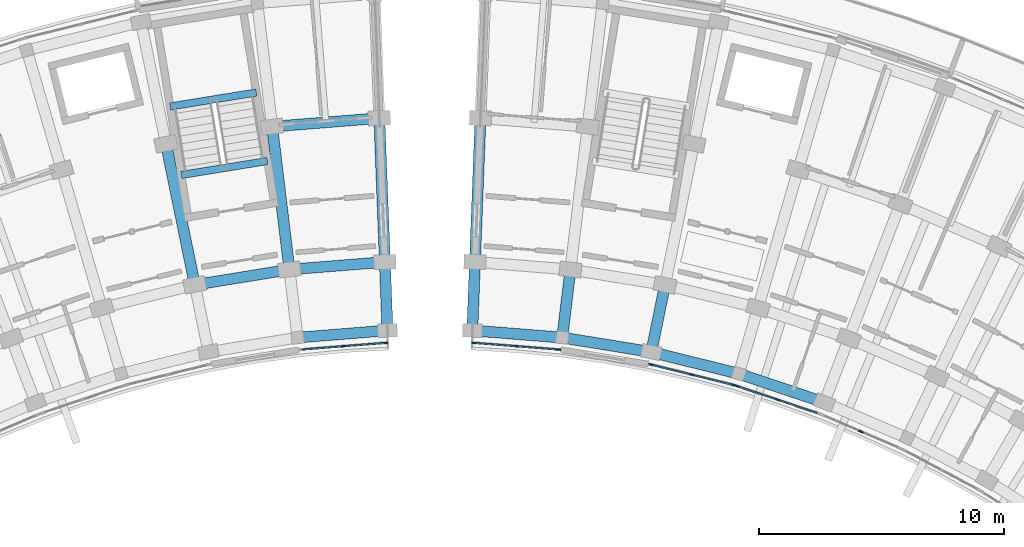
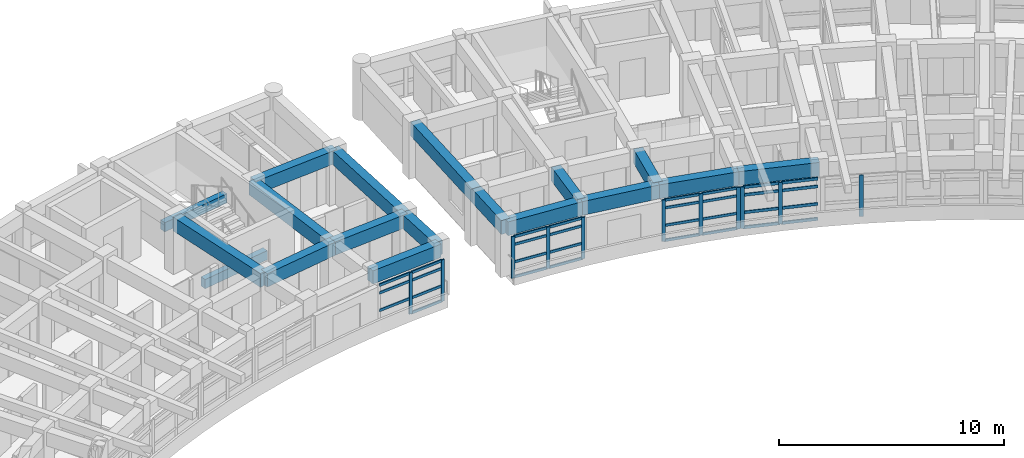
# One storey, part 17 of 70: 42 members, 18 beams, 5 elements without a shape of their own.
"""IFC4 building model written with IfcOpenShell, lengths in metres."""

from ifc_helpers import new_model, si_unit, direction, frame, origin, origin_2d, place, context, subcontext, project, spatial, rectangle, extrude, material, material_profile, profile_set, type_object, element, aggregate, save


model = new_model("IFC4")

# Units and contexts
model_context = context("Model", 3, precision=1e-05, world=origin(), true_north=direction((0.0, 1.0)))
body_context = subcontext(model_context, "Body", "Model", "MODEL_VIEW")
ifc_project = project(units=[si_unit("LENGTHUNIT", "METRE"), si_unit("AREAUNIT", "SQUARE_METRE"), si_unit("VOLUMEUNIT", "CUBIC_METRE"), si_unit("PLANEANGLEUNIT", "RADIAN"), si_unit("MASSUNIT", "GRAM", prefix="KILO")], contexts=[model_context])

# Site, building, storey
site_placement = place(None, origin())
site = spatial("IfcSite", under=ifc_project, at=site_placement, CompositionType="ELEMENT")
building_placement = place(site_placement, origin())
building = spatial("IfcBuilding", under=site, at=building_placement, Name="Zimvara Arc Housing Community", CompositionType="ELEMENT")
storey_placement = place(building_placement, frame((0.0, 0.0, 8.10009765625)))
storey = spatial("IfcBuildingStorey", under=building, at=storey_placement, Name="L02", CompositionType="ELEMENT", Elevation=8.10009765625)

# Beams
ifc_material_1 = material(Name="Concrete C40/50", Category="concrete")
ifc_material_profile_1 = material_profile(ifc_material_1, rectangle(XDim=0.300048828125, YDim=0.5, at=origin_2d()), Name="RC 300x500")
ifc_profile_set_1 = profile_set([ifc_material_profile_1], Name="Concrete C40/50")
beam_type_1 = type_object("IfcBeamType", Name="BM-RC-300x500", PredefinedType="BEAM", material=ifc_profile_set_1)
for number, where, z_axis, x_axis, name in (
    (1, (38.3662109375, 96.509033203125, -0.25), (-0.987080057935, -0.160227835371, 0.0), (0.160227835371, -0.987080057935, 0.0), "bm:stair_trim:ST-A2:L02:near"),
    (2, (37.911865234375, 99.307373046875, 1.2998046875), (-0.987080057935, -0.160227835371, 0.0), (0.160227835371, -0.987080057935, 0.0), "bm:stair_trim:ST-A2:L02:mid"),
):
    element("IfcBeam", number, at=place(storey_placement, frame(where, z_axis=z_axis, x_axis=x_axis)), inside=storey, type_object=beam_type_1, Name=name, PredefinedType="BEAM", context=body_context, shape_type="SweptSolid", body=[
        extrude(rectangle(XDim=0.300048828125, YDim=0.5, at=origin_2d()), origin(), (0.0, 0.0, 1.0), 3.570068359375),
    ])
ifc_material_2 = material(Name="Concrete C40/50", Category="concrete")
ifc_material_profile_2 = material_profile(ifc_material_2, rectangle(XDim=0.43994140625, YDim=0.719970703125, at=origin_2d()), Name="RC 440x720")
ifc_profile_set_2 = profile_set([ifc_material_profile_2], Name="Concrete C40/50")
beam_type_2 = type_object("IfcBeamType", Name="BM-RC-440x720", PredefinedType="BEAM", material=ifc_profile_set_2)
beam_1_placement = place(storey_placement, frame((39.594970703125, 89.295166015625, 2.52001953125), z_axis=(0.996865226667, 0.079118391428, 0.0), x_axis=(-0.079118391428, 0.996865226667, 0.0)))
element("IfcBeam", 3, at=beam_1_placement, inside=storey, type_object=beam_type_2, Name="bm:blkA:L02:chord:r0:b9", PredefinedType="BEAM", context=body_context, shape_type="SweptSolid", body=[
    extrude(rectangle(XDim=0.43994140625, YDim=0.719970703125, at=origin_2d()), origin(), (0.0, 0.0, 1.0), 3.684326171875),
])
beam_2_placement = place(storey_placement, frame((35.397216796875, 91.447998046875, 2.52001953125), z_axis=(0.987081487371, 0.160219029111, 0.0), x_axis=(-0.160219029111, 0.987081487371, 0.0)))
element("IfcBeam", 4, at=beam_2_placement, inside=storey, type_object=beam_type_2, Name="bm:blkA:L02:chord:r1:b8", PredefinedType="BEAM", context=body_context, shape_type="SweptSolid", body=[
    extrude(rectangle(XDim=0.43994140625, YDim=0.719970703125, at=origin_2d()), origin(), (0.0, 0.0, 1.0), 3.9130859375),
])
beam_3_placement = place(storey_placement, frame((39.259765625, 92.074951171875, 2.52001953125), z_axis=(0.99686054795, 0.079177319606, 0.0), x_axis=(-0.079177319606, 0.99686054795, 0.0)))
element("IfcBeam", 5, at=beam_3_placement, inside=storey, type_object=beam_type_2, Name="bm:blkA:L02:chord:r1:b9", PredefinedType="BEAM", context=body_context, shape_type="SweptSolid", body=[
    extrude(rectangle(XDim=0.43994140625, YDim=0.719970703125, at=origin_2d()), origin(), (0.0, 0.0, 1.0), 3.912841796875),
])
beam_4_placement = place(storey_placement, frame((38.55517578125, 97.91259765625, 2.52001953125), z_axis=(0.996864209836, 0.079131202119, 0.0), x_axis=(-0.079131202119, 0.996864209836, 0.0)))
element("IfcBeam", 6, at=beam_4_placement, inside=storey, type_object=beam_type_2, Name="bm:blkA:L02:chord:r2:b9", PredefinedType="BEAM", context=body_context, shape_type="SweptSolid", body=[
    extrude(rectangle(XDim=0.43994140625, YDim=0.719970703125, at=origin_2d()), origin(), (0.0, 0.0, 1.0), 4.393310546875),
])
ifc_material_3 = material(Name="Concrete C40/50", Category="concrete")
ifc_material_profile_3 = material_profile(ifc_material_3, rectangle(XDim=0.449951171875, YDim=0.75, at=origin_2d()), Name="RC 450x750")
ifc_profile_set_3 = profile_set([ifc_material_profile_3], Name="Concrete C40/50")
beam_type_3 = type_object("IfcBeamType", Name="BM-RC-450x750", PredefinedType="BEAM", material=ifc_profile_set_3)
for number, where, z_axis, x_axis, name in (
    (7, (35.397216796875, 91.447998046875, 2.5048828125), (-0.200417973989, 0.979710485655, 0.0), (-0.979710485655, -0.200417973989, 0.0), "bm:blkA:L02:rad:b8:r12"),
    (8, (39.259765625, 92.074951171875, 2.5048828125), (-0.119827921695, 0.992794676246, 0.0), (-0.992794676246, -0.119827921695, 0.0), "bm:blkA:L02:rad:b9:r12"),
):
    element("IfcBeam", number, at=place(storey_placement, frame(where, z_axis=z_axis, x_axis=x_axis)), inside=storey, type_object=beam_type_3, Name=name, PredefinedType="BEAM", context=body_context, shape_type="SweptSolid", body=[
        extrude(rectangle(XDim=0.449951171875, YDim=0.75, at=origin_2d()), origin(), (0.0, 0.0, 1.0), 5.880126953125),
    ])
beam_5_placement = place(storey_placement, frame((43.267822265625, 89.586669921875, 2.5048828125), z_axis=(-0.038362804793, 0.999263876665, 0.0), x_axis=(-0.999263876665, -0.038362804793, 0.0)))
element("IfcBeam", 9, at=beam_5_placement, inside=storey, type_object=beam_type_3, Name="bm:blkA:L02:rad:b10:r01", PredefinedType="BEAM", context=body_context, shape_type="SweptSolid", body=[
    extrude(rectangle(XDim=0.449951171875, YDim=0.75, at=origin_2d()), origin(), (0.0, 0.0, 1.0), 2.800048828125),
])
beam_6_placement = place(storey_placement, frame((43.160400390625, 92.384765625, 2.5048828125), z_axis=(-0.038366147405, 0.999263748333, 0.0), x_axis=(-0.999263748333, -0.038366147405, 0.0)))
element("IfcBeam", 10, at=beam_6_placement, inside=storey, type_object=beam_type_3, Name="bm:blkA:L02:rad:b10:r12", PredefinedType="BEAM", context=body_context, shape_type="SweptSolid", body=[
    extrude(rectangle(XDim=0.449951171875, YDim=0.75, at=origin_2d()), origin(), (0.0, 0.0, 1.0), 5.8798828125),
])
for number, where, z_axis, x_axis, name in (
    (11, (46.732177734375, 89.586669921875, 2.5048828125), (0.996865226667, -0.079118391428, 0.0), (0.079118391428, 0.996865226667, 0.0), "bm:blkB:L02:chord:r0:b0"),
    (12, (50.405029296875, 89.295166015625, 2.5048828125), (0.987079996944, -0.160228211104, 0.0), (0.160228211104, 0.987079996944, 0.0), "bm:blkB:L02:chord:r0:b1"),
):
    element("IfcBeam", number, at=place(storey_placement, frame(where, z_axis=z_axis, x_axis=x_axis)), inside=storey, type_object=beam_type_3, Name=name, PredefinedType="BEAM", context=body_context, shape_type="SweptSolid", body=[
        extrude(rectangle(XDim=0.449951171875, YDim=0.75, at=origin_2d()), origin(), (0.0, 0.0, 1.0), 3.684326171875),
    ])
beam_7_placement = place(storey_placement, frame((54.041748046875, 88.704833984375, 2.5048828125), z_axis=(0.970708886215, -0.240258731837, 0.0), x_axis=(0.240258731837, 0.970708886215, 0.0)))
element("IfcBeam", 13, at=beam_7_placement, inside=storey, type_object=beam_type_3, Name="bm:blkB:L02:chord:r0:b2", PredefinedType="BEAM", context=body_context, shape_type="SweptSolid", body=[
    extrude(rectangle(XDim=0.449951171875, YDim=0.75, at=origin_2d()), origin(), (0.0, 0.0, 1.0), 3.6845703125),
])
beam_8_placement = place(storey_placement, frame((57.618408203125, 87.819580078125, 2.5048828125), z_axis=(0.94789181932, -0.31859237101, 0.0), x_axis=(0.31859237101, 0.94789181932, 0.0)))
element("IfcBeam", 14, at=beam_8_placement, inside=storey, type_object=beam_type_3, Name="bm:blkB:L02:chord:r0:b3", PredefinedType="BEAM", context=body_context, shape_type="SweptSolid", body=[
    extrude(rectangle(XDim=0.449951171875, YDim=0.75, at=origin_2d()), origin(), (0.0, 0.0, 1.0), 3.684326171875),
])
beam_9_placement = place(storey_placement, frame((46.732177734375, 89.586669921875, 2.5048828125), z_axis=(0.038362804793, 0.999263876665, 0.0), x_axis=(-0.999263876665, 0.038362804793, 0.0)))
element("IfcBeam", 15, at=beam_9_placement, inside=storey, type_object=beam_type_3, Name="bm:blkB:L02:rad:b0:r01", PredefinedType="BEAM", context=body_context, shape_type="SweptSolid", body=[
    extrude(rectangle(XDim=0.449951171875, YDim=0.75, at=origin_2d()), origin(), (0.0, 0.0, 1.0), 2.800048828125),
])
beam_10_placement = place(storey_placement, frame((46.839599609375, 92.384765625, 2.5048828125), z_axis=(0.038366147405, 0.999263748333, 0.0), x_axis=(-0.999263748333, 0.038366147405, 0.0)))
element("IfcBeam", 16, at=beam_10_placement, inside=storey, type_object=beam_type_3, Name="bm:blkB:L02:rad:b0:r12", PredefinedType="BEAM", context=body_context, shape_type="SweptSolid", body=[
    extrude(rectangle(XDim=0.449951171875, YDim=0.75, at=origin_2d()), origin(), (0.0, 0.0, 1.0), 5.8798828125),
])
beam_11_placement = place(storey_placement, frame((50.405029296875, 89.295166015625, 2.5048828125), z_axis=(0.119719398078, 0.992807768767, 0.0), x_axis=(-0.992807768767, 0.119719398078, 0.0)))
element("IfcBeam", 17, at=beam_11_placement, inside=storey, type_object=beam_type_3, Name="bm:blkB:L02:rad:b1:r01", PredefinedType="BEAM", context=body_context, shape_type="SweptSolid", body=[
    extrude(rectangle(XDim=0.449951171875, YDim=0.75, at=origin_2d()), origin(), (0.0, 0.0, 1.0), 2.7998046875),
])
beam_12_placement = place(storey_placement, frame((54.041748046875, 88.704833984375, 2.5048828125), z_axis=(0.20037341071, 0.979719600845, 0.0), x_axis=(-0.979719600845, 0.20037341071, 0.0)))
element("IfcBeam", 18, at=beam_12_placement, inside=storey, type_object=beam_type_3, Name="bm:blkB:L02:rad:b2:r01", PredefinedType="BEAM", context=body_context, shape_type="SweptSolid", body=[
    extrude(rectangle(XDim=0.449951171875, YDim=0.75, at=origin_2d()), origin(), (0.0, 0.0, 1.0), 2.800048828125),
])

# Curtain wall, members
ifc_material_4 = material(Name="Anodised Aluminium AW-6063", Category="aluminium")
curtain_wall_type_1 = type_object("IfcCurtainWallType", Name="CW-SYS-06", PredefinedType="USERDEFINED", material=ifc_material_4)
curtain_wall_1_placement = place(storey_placement, origin())
curtain_wall_1 = element("IfcCurtainWall", 19, at=curtain_wall_1_placement, inside=storey, type_object=curtain_wall_type_1, Name="cw:blkA:L02:in:b9", ObjectType="CURTAIN WALL", PredefinedType="USERDEFINED")
ifc_material_5 = material(Name="Anodised Aluminium AW-6063", Category="aluminium")
ifc_material_profile_4 = material_profile(ifc_material_5, rectangle(XDim=0.06494140625, YDim=0.179931640625, at=origin_2d()), Name="ALU 65x180")
ifc_profile_set_4 = profile_set([ifc_material_profile_4], Name="Anodised Aluminium AW-6063")
member_type_1 = type_object("IfcMemberType", Name="CWM-65x150", PredefinedType="MULLION", material=ifc_profile_set_4)
member_1_placement = place(storey_placement, frame((41.470947265625, 88.94287109375, 0.0), z_axis=(0.0, 0.0, 1.0), x_axis=(-0.079154709897, 0.996862343506, 0.0)))
member_1 = element("IfcMember", 20, at=member_1_placement, type_object=member_type_1, Name="CW06 mullion 2", PredefinedType="MULLION", context=body_context, shape_type="SweptSolid", body=[
    extrude(rectangle(XDim=0.06494140625, YDim=0.179931640625, at=origin_2d()), origin(), (0.0, 0.0, 1.0), 2.25),
])
member_2_placement = place(storey_placement, frame((43.19482421875, 89.079833984375, 0.0), z_axis=(0.0, 0.0, 1.0), x_axis=(-0.079154709897, 0.996862343506, 0.0)))
member_2 = element("IfcMember", 21, at=member_2_placement, type_object=member_type_1, Name="CW06 mullion 3", PredefinedType="MULLION", context=body_context, shape_type="SweptSolid", body=[
    extrude(rectangle(XDim=0.06494140625, YDim=0.179931640625, at=origin_2d()), origin(), (0.0, 0.0, 1.0), 2.25),
])

ifc_material_6 = material(Name="Anodised Aluminium AW-6063", Category="aluminium")
curtain_wall_type_2 = type_object("IfcCurtainWallType", Name="CW-SYS-02", PredefinedType="USERDEFINED", material=ifc_material_6)
curtain_wall_2_placement = place(storey_placement, origin())
curtain_wall_2 = element("IfcCurtainWall", 22, at=curtain_wall_2_placement, inside=storey, type_object=curtain_wall_type_2, Name="cw:blkB:L02:in:b0", ObjectType="CURTAIN WALL", PredefinedType="USERDEFINED")
member_3_placement = place(storey_placement, frame((46.80517578125, 89.079833984375, 0.0), z_axis=(0.0, 0.0, 1.0), x_axis=(0.079154709897, 0.996862343506, 0.0)))
member_3 = element("IfcMember", 23, at=member_3_placement, type_object=member_type_1, Name="CW02 mullion 1", PredefinedType="MULLION", context=body_context, shape_type="SweptSolid", body=[
    extrude(rectangle(XDim=0.06494140625, YDim=0.179931640625, at=origin_2d()), origin(), (0.0, 0.0, 1.0), 2.25),
])
member_4_placement = place(storey_placement, frame((48.529052734375, 88.94287109375, 0.0), z_axis=(0.0, 0.0, 1.0), x_axis=(0.079154709897, 0.996862343506, 0.0)))
member_4 = element("IfcMember", 24, at=member_4_placement, type_object=member_type_1, Name="CW02 mullion 2", PredefinedType="MULLION", context=body_context, shape_type="SweptSolid", body=[
    extrude(rectangle(XDim=0.06494140625, YDim=0.179931640625, at=origin_2d()), origin(), (0.0, 0.0, 1.0), 2.25),
])
member_5_placement = place(storey_placement, frame((50.2529296875, 88.805908203125, 0.0), z_axis=(0.0, 0.0, 1.0), x_axis=(0.079154709897, 0.996862343506, 0.0)))
member_5 = element("IfcMember", 25, at=member_5_placement, type_object=member_type_1, Name="CW02 mullion 3", PredefinedType="MULLION", context=body_context, shape_type="SweptSolid", body=[
    extrude(rectangle(XDim=0.06494140625, YDim=0.179931640625, at=origin_2d()), origin(), (0.0, 0.0, 1.0), 2.25),
])

ifc_material_7 = material(Name="Anodised Aluminium AW-6063", Category="aluminium")
curtain_wall_type_3 = type_object("IfcCurtainWallType", Name="CW-SYS-04", PredefinedType="USERDEFINED", material=ifc_material_7)
curtain_wall_3_placement = place(storey_placement, origin())
curtain_wall_3 = element("IfcCurtainWall", 26, at=curtain_wall_3_placement, inside=storey, type_object=curtain_wall_type_3, Name="cw:blkB:L02:in:b2", ObjectType="CURTAIN WALL", PredefinedType="USERDEFINED")
member_6_placement = place(storey_placement, frame((54.03125, 88.192626953125, 0.0), z_axis=(0.0, 0.0, 1.0), x_axis=(0.240227815706, 0.970716537698, 0.0)))
member_6 = element("IfcMember", 27, at=member_6_placement, type_object=member_type_1, Name="CW04 mullion 1", PredefinedType="MULLION", context=body_context, shape_type="SweptSolid", body=[
    extrude(rectangle(XDim=0.06494140625, YDim=0.179931640625, at=origin_2d()), origin(), (0.0, 0.0, 1.0), 2.25),
])
member_7_placement = place(storey_placement, frame((55.7099609375, 87.77734375, 0.0), z_axis=(0.0, 0.0, 1.0), x_axis=(0.240227815706, 0.970716537698, 0.0)))
member_7 = element("IfcMember", 28, at=member_7_placement, type_object=member_type_1, Name="CW04 mullion 2", PredefinedType="MULLION", context=body_context, shape_type="SweptSolid", body=[
    extrude(rectangle(XDim=0.06494140625, YDim=0.179931640625, at=origin_2d()), origin(), (0.0, 0.0, 1.0), 2.25),
])
member_8_placement = place(storey_placement, frame((57.388671875, 87.36181640625, 0.0), z_axis=(0.0, 0.0, 1.0), x_axis=(0.240227815706, 0.970716537698, 0.0)))
member_8 = element("IfcMember", 29, at=member_8_placement, type_object=member_type_1, Name="CW04 mullion 3", PredefinedType="MULLION", context=body_context, shape_type="SweptSolid", body=[
    extrude(rectangle(XDim=0.06494140625, YDim=0.179931640625, at=origin_2d()), origin(), (0.0, 0.0, 1.0), 2.25),
])

ifc_material_8 = material(Name="Anodised Aluminium AW-6063", Category="aluminium")
curtain_wall_type_4 = type_object("IfcCurtainWallType", Name="CW-SYS-05", PredefinedType="USERDEFINED", material=ifc_material_8)
curtain_wall_4_placement = place(storey_placement, origin())
curtain_wall_4 = element("IfcCurtainWall", 30, at=curtain_wall_4_placement, inside=storey, type_object=curtain_wall_type_4, Name="cw:blkB:L02:in:b3", ObjectType="CURTAIN WALL", PredefinedType="USERDEFINED")
ifc_material_9 = material(Name="Anodised Aluminium AW-6063", Category="aluminium")
ifc_material_profile_5 = material_profile(ifc_material_9, rectangle(XDim=0.06494140625, YDim=0.195068359375, at=origin_2d()), Name="ALU 65x195")
ifc_profile_set_5 = profile_set([ifc_material_profile_5], Name="Anodised Aluminium AW-6063")
member_type_2 = type_object("IfcMemberType", Name="CWM-65x180", PredefinedType="MULLION", material=ifc_profile_set_5)
member_9_placement = place(storey_placement, frame((57.566162109375, 87.31005859375, 0.0), z_axis=(0.0, 0.0, 1.0), x_axis=(0.318630249383, 0.94787908732, 0.0)))
member_9 = element("IfcMember", 31, at=member_9_placement, type_object=member_type_2, Name="CW05 mullion 1", PredefinedType="MULLION", context=body_context, shape_type="SweptSolid", body=[
    extrude(rectangle(XDim=0.06494140625, YDim=0.195068359375, at=origin_2d()), origin(), (0.0, 0.0, 1.0), 2.25),
])
member_10_placement = place(storey_placement, frame((59.205322265625, 86.759033203125, 0.0), z_axis=(0.0, 0.0, 1.0), x_axis=(0.318630249383, 0.94787908732, 0.0)))
member_10 = element("IfcMember", 32, at=member_10_placement, type_object=member_type_2, Name="CW05 mullion 2", PredefinedType="MULLION", context=body_context, shape_type="SweptSolid", body=[
    extrude(rectangle(XDim=0.06494140625, YDim=0.195068359375, at=origin_2d()), origin(), (0.0, 0.0, 1.0), 2.25),
])

# Curtain wall, member
ifc_material_10 = material(Name="Anodised Aluminium AW-6063", Category="aluminium")
curtain_wall_type_5 = type_object("IfcCurtainWallType", Name="CW-SYS-07", PredefinedType="USERDEFINED", material=ifc_material_10)
curtain_wall_5_placement = place(storey_placement, origin())
curtain_wall_5 = element("IfcCurtainWall", 33, at=curtain_wall_5_placement, inside=storey, type_object=curtain_wall_type_5, Name="cw:blkB:L02:in:b4", ObjectType="CURTAIN WALL", PredefinedType="USERDEFINED")
member_11_placement = place(storey_placement, frame((62.60595703125, 85.459228515625, 0.0), z_axis=(0.0, 0.0, 1.0), x_axis=(0.394904493375, 0.918722178415, 0.0)))
member_11 = element("IfcMember", 34, at=member_11_placement, type_object=member_type_2, Name="CW07 mullion 2", PredefinedType="MULLION", context=body_context, shape_type="SweptSolid", body=[
    extrude(rectangle(XDim=0.06494140625, YDim=0.195068359375, at=origin_2d()), origin(), (0.0, 0.0, 1.0), 2.25),
])
aggregate(curtain_wall_5, [member_11])

# Member
ifc_material_11 = material(Name="Anodised Aluminium AW-6063", Category="aluminium")
ifc_material_profile_6 = material_profile(ifc_material_11, rectangle(XDim=0.06494140625, YDim=0.139892578125, at=origin_2d()), Name="ALU 65x140")
ifc_profile_set_6 = profile_set([ifc_material_profile_6], Name="Anodised Aluminium AW-6063")
member_type_3 = type_object("IfcMemberType", Name="CWT-65x120", PredefinedType="USERDEFINED", material=ifc_profile_set_6)
member_12_placement = place(storey_placement, frame((39.779541015625, 88.80859375, 0.849853515625), z_axis=(0.99685804311, 0.079208849806, 0.0), x_axis=(-0.079208849806, 0.99685804311, 0.0)))
member_12 = element("IfcMember", 35, at=member_12_placement, type_object=member_type_3, Name="CW06 transom 1.2", ObjectType="TRANSOM", PredefinedType="USERDEFINED", context=body_context, shape_type="SweptSolid", body=[
    extrude(rectangle(XDim=0.06494140625, YDim=0.139892578125, at=origin_2d()), origin(), (0.0, 0.0, 1.0), 1.664306640625),
])

member_13_placement = place(storey_placement, frame((39.779541015625, 88.80859375, 1.7998046875), z_axis=(0.99685804311, 0.079208849806, 0.0), x_axis=(-0.079208849806, 0.99685804311, 0.0)))
member_13 = element("IfcMember", 36, at=member_13_placement, type_object=member_type_3, Name="CW06 transom 1.3", ObjectType="TRANSOM", PredefinedType="USERDEFINED", context=body_context, shape_type="SweptSolid", body=[
    extrude(rectangle(XDim=0.06494140625, YDim=0.139892578125, at=origin_2d()), origin(), (0.0, 0.0, 1.0), 1.664306640625),
])

member_14_placement = place(storey_placement, frame((39.779541015625, 88.80859375, 2.21728515625), z_axis=(0.99685804311, 0.079208849806, 0.0), x_axis=(-0.079208849806, 0.99685804311, 0.0)))
member_14 = element("IfcMember", 37, at=member_14_placement, type_object=member_type_3, Name="CW06 transom 1.4", ObjectType="TRANSOM", PredefinedType="USERDEFINED", context=body_context, shape_type="SweptSolid", body=[
    extrude(rectangle(XDim=0.06494140625, YDim=0.139892578125, at=origin_2d()), origin(), (0.0, 0.0, 1.0), 1.664306640625),
])

member_15_placement = place(storey_placement, frame((41.50341796875, 88.945556640625, 0.032470703125), z_axis=(0.996869614678, 0.079063084507, 0.0), x_axis=(-0.079063084507, 0.996869614678, 0.0)))
member_15 = element("IfcMember", 38, at=member_15_placement, type_object=member_type_3, Name="CW06 transom 2.1", ObjectType="TRANSOM", PredefinedType="USERDEFINED", context=body_context, shape_type="SweptSolid", body=[
    extrude(rectangle(XDim=0.06494140625, YDim=0.139892578125, at=origin_2d()), origin(), (0.0, 0.0, 1.0), 1.664306640625),
])

member_16_placement = place(storey_placement, frame((41.50341796875, 88.945556640625, 0.849853515625), z_axis=(0.996869614678, 0.079063084507, 0.0), x_axis=(-0.079063084507, 0.996869614678, 0.0)))
member_16 = element("IfcMember", 39, at=member_16_placement, type_object=member_type_3, Name="CW06 transom 2.2", ObjectType="TRANSOM", PredefinedType="USERDEFINED", context=body_context, shape_type="SweptSolid", body=[
    extrude(rectangle(XDim=0.06494140625, YDim=0.139892578125, at=origin_2d()), origin(), (0.0, 0.0, 1.0), 1.664306640625),
])

member_17_placement = place(storey_placement, frame((41.50341796875, 88.945556640625, 1.7998046875), z_axis=(0.996869614678, 0.079063084507, 0.0), x_axis=(-0.079063084507, 0.996869614678, 0.0)))
member_17 = element("IfcMember", 40, at=member_17_placement, type_object=member_type_3, Name="CW06 transom 2.3", ObjectType="TRANSOM", PredefinedType="USERDEFINED", context=body_context, shape_type="SweptSolid", body=[
    extrude(rectangle(XDim=0.06494140625, YDim=0.139892578125, at=origin_2d()), origin(), (0.0, 0.0, 1.0), 1.664306640625),
])

member_18_placement = place(storey_placement, frame((41.50341796875, 88.945556640625, 2.21728515625), z_axis=(0.996869614678, 0.079063084507, 0.0), x_axis=(-0.079063084507, 0.996869614678, 0.0)))
member_18 = element("IfcMember", 41, at=member_18_placement, type_object=member_type_3, Name="CW06 transom 2.4", ObjectType="TRANSOM", PredefinedType="USERDEFINED", context=body_context, shape_type="SweptSolid", body=[
    extrude(rectangle(XDim=0.06494140625, YDim=0.139892578125, at=origin_2d()), origin(), (0.0, 0.0, 1.0), 1.664306640625),
])

aggregate(curtain_wall_1, [member_1, member_2, member_12, member_13, member_14, member_15, member_16, member_17, member_18])

member_19_placement = place(storey_placement, frame((46.83740234375, 89.0771484375, 0.032470703125), z_axis=(0.996869614678, -0.079063084507, 0.0), x_axis=(0.079063084507, 0.996869614678, 0.0)))
member_19 = element("IfcMember", 42, at=member_19_placement, type_object=member_type_3, Name="CW02 transom 1.1", ObjectType="TRANSOM", PredefinedType="USERDEFINED", context=body_context, shape_type="SweptSolid", body=[
    extrude(rectangle(XDim=0.06494140625, YDim=0.139892578125, at=origin_2d()), origin(), (0.0, 0.0, 1.0), 1.664306640625),
])

member_20_placement = place(storey_placement, frame((46.83740234375, 89.0771484375, 0.849853515625), z_axis=(0.996869614678, -0.079063084507, 0.0), x_axis=(0.079063084507, 0.996869614678, 0.0)))
member_20 = element("IfcMember", 43, at=member_20_placement, type_object=member_type_3, Name="CW02 transom 1.2", ObjectType="TRANSOM", PredefinedType="USERDEFINED", context=body_context, shape_type="SweptSolid", body=[
    extrude(rectangle(XDim=0.06494140625, YDim=0.139892578125, at=origin_2d()), origin(), (0.0, 0.0, 1.0), 1.664306640625),
])

member_21_placement = place(storey_placement, frame((46.83740234375, 89.0771484375, 1.7998046875), z_axis=(0.996869614678, -0.079063084507, 0.0), x_axis=(0.079063084507, 0.996869614678, 0.0)))
member_21 = element("IfcMember", 44, at=member_21_placement, type_object=member_type_3, Name="CW02 transom 1.3", ObjectType="TRANSOM", PredefinedType="USERDEFINED", context=body_context, shape_type="SweptSolid", body=[
    extrude(rectangle(XDim=0.06494140625, YDim=0.139892578125, at=origin_2d()), origin(), (0.0, 0.0, 1.0), 1.664306640625),
])

member_22_placement = place(storey_placement, frame((46.83740234375, 89.0771484375, 2.21728515625), z_axis=(0.996869614678, -0.079063084507, 0.0), x_axis=(0.079063084507, 0.996869614678, 0.0)))
member_22 = element("IfcMember", 45, at=member_22_placement, type_object=member_type_3, Name="CW02 transom 1.4", ObjectType="TRANSOM", PredefinedType="USERDEFINED", context=body_context, shape_type="SweptSolid", body=[
    extrude(rectangle(XDim=0.06494140625, YDim=0.139892578125, at=origin_2d()), origin(), (0.0, 0.0, 1.0), 1.664306640625),
])

member_23_placement = place(storey_placement, frame((48.561279296875, 88.9404296875, 0.032470703125), z_axis=(0.99685804311, -0.079208849806, 0.0), x_axis=(0.079208849806, 0.99685804311, 0.0)))
member_23 = element("IfcMember", 46, at=member_23_placement, type_object=member_type_3, Name="CW02 transom 2.1", ObjectType="TRANSOM", PredefinedType="USERDEFINED", context=body_context, shape_type="SweptSolid", body=[
    extrude(rectangle(XDim=0.06494140625, YDim=0.139892578125, at=origin_2d()), origin(), (0.0, 0.0, 1.0), 1.664306640625),
])

member_24_placement = place(storey_placement, frame((48.561279296875, 88.9404296875, 0.849853515625), z_axis=(0.99685804311, -0.079208849806, 0.0), x_axis=(0.079208849806, 0.99685804311, 0.0)))
member_24 = element("IfcMember", 47, at=member_24_placement, type_object=member_type_3, Name="CW02 transom 2.2", ObjectType="TRANSOM", PredefinedType="USERDEFINED", context=body_context, shape_type="SweptSolid", body=[
    extrude(rectangle(XDim=0.06494140625, YDim=0.139892578125, at=origin_2d()), origin(), (0.0, 0.0, 1.0), 1.664306640625),
])

member_25_placement = place(storey_placement, frame((48.561279296875, 88.9404296875, 1.7998046875), z_axis=(0.99685804311, -0.079208849806, 0.0), x_axis=(0.079208849806, 0.99685804311, 0.0)))
member_25 = element("IfcMember", 48, at=member_25_placement, type_object=member_type_3, Name="CW02 transom 2.3", ObjectType="TRANSOM", PredefinedType="USERDEFINED", context=body_context, shape_type="SweptSolid", body=[
    extrude(rectangle(XDim=0.06494140625, YDim=0.139892578125, at=origin_2d()), origin(), (0.0, 0.0, 1.0), 1.664306640625),
])

member_26_placement = place(storey_placement, frame((48.561279296875, 88.9404296875, 2.21728515625), z_axis=(0.99685804311, -0.079208849806, 0.0), x_axis=(0.079208849806, 0.99685804311, 0.0)))
member_26 = element("IfcMember", 49, at=member_26_placement, type_object=member_type_3, Name="CW02 transom 2.4", ObjectType="TRANSOM", PredefinedType="USERDEFINED", context=body_context, shape_type="SweptSolid", body=[
    extrude(rectangle(XDim=0.06494140625, YDim=0.139892578125, at=origin_2d()), origin(), (0.0, 0.0, 1.0), 1.664306640625),
])

aggregate(curtain_wall_2, [member_3, member_4, member_5, member_19, member_20, member_21, member_22, member_23, member_24, member_25, member_26])

member_27_placement = place(storey_placement, frame((54.06298828125, 88.184814453125, 0.032470703125), z_axis=(0.970735018799, -0.240153124645, 0.0), x_axis=(0.240153124645, 0.970735018799, 0.0)))
member_27 = element("IfcMember", 50, at=member_27_placement, type_object=member_type_3, Name="CW04 transom 1.1", ObjectType="TRANSOM", PredefinedType="USERDEFINED", context=body_context, shape_type="SweptSolid", body=[
    extrude(rectangle(XDim=0.06494140625, YDim=0.139892578125, at=origin_2d()), origin(), (0.0, 0.0, 1.0), 1.6640625),
])

member_28_placement = place(storey_placement, frame((54.06298828125, 88.184814453125, 0.849853515625), z_axis=(0.970735018799, -0.240153124645, 0.0), x_axis=(0.240153124645, 0.970735018799, 0.0)))
member_28 = element("IfcMember", 51, at=member_28_placement, type_object=member_type_3, Name="CW04 transom 1.2", ObjectType="TRANSOM", PredefinedType="USERDEFINED", context=body_context, shape_type="SweptSolid", body=[
    extrude(rectangle(XDim=0.06494140625, YDim=0.139892578125, at=origin_2d()), origin(), (0.0, 0.0, 1.0), 1.6640625),
])

member_29_placement = place(storey_placement, frame((54.06298828125, 88.184814453125, 1.7998046875), z_axis=(0.970735018799, -0.240153124645, 0.0), x_axis=(0.240153124645, 0.970735018799, 0.0)))
member_29 = element("IfcMember", 52, at=member_29_placement, type_object=member_type_3, Name="CW04 transom 1.3", ObjectType="TRANSOM", PredefinedType="USERDEFINED", context=body_context, shape_type="SweptSolid", body=[
    extrude(rectangle(XDim=0.06494140625, YDim=0.139892578125, at=origin_2d()), origin(), (0.0, 0.0, 1.0), 1.6640625),
])

member_30_placement = place(storey_placement, frame((54.06298828125, 88.184814453125, 2.21728515625), z_axis=(0.970735018799, -0.240153124645, 0.0), x_axis=(0.240153124645, 0.970735018799, 0.0)))
member_30 = element("IfcMember", 53, at=member_30_placement, type_object=member_type_3, Name="CW04 transom 1.4", ObjectType="TRANSOM", PredefinedType="USERDEFINED", context=body_context, shape_type="SweptSolid", body=[
    extrude(rectangle(XDim=0.06494140625, YDim=0.139892578125, at=origin_2d()), origin(), (0.0, 0.0, 1.0), 1.6640625),
])

member_31_placement = place(storey_placement, frame((55.74169921875, 87.76953125, 0.032470703125), z_axis=(0.970700809973, -0.24029135964, 0.0), x_axis=(0.24029135964, 0.970700809973, 0.0)))
member_31 = element("IfcMember", 54, at=member_31_placement, type_object=member_type_3, Name="CW04 transom 2.1", ObjectType="TRANSOM", PredefinedType="USERDEFINED", context=body_context, shape_type="SweptSolid", body=[
    extrude(rectangle(XDim=0.06494140625, YDim=0.139892578125, at=origin_2d()), origin(), (0.0, 0.0, 1.0), 1.664306640625),
])

member_32_placement = place(storey_placement, frame((55.74169921875, 87.76953125, 0.849853515625), z_axis=(0.970700809973, -0.24029135964, 0.0), x_axis=(0.24029135964, 0.970700809973, 0.0)))
member_32 = element("IfcMember", 55, at=member_32_placement, type_object=member_type_3, Name="CW04 transom 2.2", ObjectType="TRANSOM", PredefinedType="USERDEFINED", context=body_context, shape_type="SweptSolid", body=[
    extrude(rectangle(XDim=0.06494140625, YDim=0.139892578125, at=origin_2d()), origin(), (0.0, 0.0, 1.0), 1.664306640625),
])

member_33_placement = place(storey_placement, frame((55.74169921875, 87.76953125, 1.7998046875), z_axis=(0.970700809973, -0.24029135964, 0.0), x_axis=(0.24029135964, 0.970700809973, 0.0)))
member_33 = element("IfcMember", 56, at=member_33_placement, type_object=member_type_3, Name="CW04 transom 2.3", ObjectType="TRANSOM", PredefinedType="USERDEFINED", context=body_context, shape_type="SweptSolid", body=[
    extrude(rectangle(XDim=0.06494140625, YDim=0.139892578125, at=origin_2d()), origin(), (0.0, 0.0, 1.0), 1.664306640625),
])

member_34_placement = place(storey_placement, frame((55.74169921875, 87.76953125, 2.21728515625), z_axis=(0.970700809973, -0.24029135964, 0.0), x_axis=(0.24029135964, 0.970700809973, 0.0)))
member_34 = element("IfcMember", 57, at=member_34_placement, type_object=member_type_3, Name="CW04 transom 2.4", ObjectType="TRANSOM", PredefinedType="USERDEFINED", context=body_context, shape_type="SweptSolid", body=[
    extrude(rectangle(XDim=0.06494140625, YDim=0.139892578125, at=origin_2d()), origin(), (0.0, 0.0, 1.0), 1.664306640625),
])

aggregate(curtain_wall_3, [member_6, member_7, member_8, member_27, member_28, member_29, member_30, member_31, member_32, member_33, member_34])

ifc_material_12 = material(Name="Anodised Aluminium AW-6063", Category="aluminium")
ifc_material_profile_7 = material_profile(ifc_material_12, rectangle(XDim=0.06494140625, YDim=0.155029296875, at=origin_2d()), Name="ALU 65x155")
ifc_profile_set_7 = profile_set([ifc_material_profile_7], Name="Anodised Aluminium AW-6063")
member_type_4 = type_object("IfcMemberType", Name="CWT-65x140", PredefinedType="USERDEFINED", material=ifc_profile_set_7)
member_35_placement = place(storey_placement, frame((57.596923828125, 87.2998046875, 0.032470703125), z_axis=(0.947888214723, -0.318603095385, 0.0), x_axis=(0.318603095385, 0.947888214723, 0.0)))
member_35 = element("IfcMember", 58, at=member_35_placement, type_object=member_type_4, Name="CW05 transom 1.1", ObjectType="TRANSOM", PredefinedType="USERDEFINED", context=body_context, shape_type="SweptSolid", body=[
    extrude(rectangle(XDim=0.06494140625, YDim=0.155029296875, at=origin_2d()), origin(), (0.0, 0.0, 1.0), 1.664306640625),
])

member_36_placement = place(storey_placement, frame((57.596923828125, 87.2998046875, 0.849853515625), z_axis=(0.947888214723, -0.318603095385, 0.0), x_axis=(0.318603095385, 0.947888214723, 0.0)))
member_36 = element("IfcMember", 59, at=member_36_placement, type_object=member_type_4, Name="CW05 transom 1.2", ObjectType="TRANSOM", PredefinedType="USERDEFINED", context=body_context, shape_type="SweptSolid", body=[
    extrude(rectangle(XDim=0.06494140625, YDim=0.155029296875, at=origin_2d()), origin(), (0.0, 0.0, 1.0), 1.664306640625),
])

member_37_placement = place(storey_placement, frame((57.596923828125, 87.2998046875, 1.7998046875), z_axis=(0.947888214723, -0.318603095385, 0.0), x_axis=(0.318603095385, 0.947888214723, 0.0)))
member_37 = element("IfcMember", 60, at=member_37_placement, type_object=member_type_4, Name="CW05 transom 1.3", ObjectType="TRANSOM", PredefinedType="USERDEFINED", context=body_context, shape_type="SweptSolid", body=[
    extrude(rectangle(XDim=0.06494140625, YDim=0.155029296875, at=origin_2d()), origin(), (0.0, 0.0, 1.0), 1.664306640625),
])

member_38_placement = place(storey_placement, frame((57.596923828125, 87.2998046875, 2.21728515625), z_axis=(0.947888214723, -0.318603095385, 0.0), x_axis=(0.318603095385, 0.947888214723, 0.0)))
member_38 = element("IfcMember", 61, at=member_38_placement, type_object=member_type_4, Name="CW05 transom 1.4", ObjectType="TRANSOM", PredefinedType="USERDEFINED", context=body_context, shape_type="SweptSolid", body=[
    extrude(rectangle(XDim=0.06494140625, YDim=0.155029296875, at=origin_2d()), origin(), (0.0, 0.0, 1.0), 1.664306640625),
])

member_39_placement = place(storey_placement, frame((59.236083984375, 86.748779296875, 0.032470703125), z_axis=(0.947888214723, -0.318603095385, 0.0), x_axis=(0.318603095385, 0.947888214723, 0.0)))
member_39 = element("IfcMember", 62, at=member_39_placement, type_object=member_type_4, Name="CW05 transom 2.1", ObjectType="TRANSOM", PredefinedType="USERDEFINED", context=body_context, shape_type="SweptSolid", body=[
    extrude(rectangle(XDim=0.06494140625, YDim=0.155029296875, at=origin_2d()), origin(), (0.0, 0.0, 1.0), 1.664306640625),
])

member_40_placement = place(storey_placement, frame((59.236083984375, 86.748779296875, 0.849853515625), z_axis=(0.947888214723, -0.318603095385, 0.0), x_axis=(0.318603095385, 0.947888214723, 0.0)))
member_40 = element("IfcMember", 63, at=member_40_placement, type_object=member_type_4, Name="CW05 transom 2.2", ObjectType="TRANSOM", PredefinedType="USERDEFINED", context=body_context, shape_type="SweptSolid", body=[
    extrude(rectangle(XDim=0.06494140625, YDim=0.155029296875, at=origin_2d()), origin(), (0.0, 0.0, 1.0), 1.664306640625),
])

member_41_placement = place(storey_placement, frame((59.236083984375, 86.748779296875, 1.7998046875), z_axis=(0.947888214723, -0.318603095385, 0.0), x_axis=(0.318603095385, 0.947888214723, 0.0)))
member_41 = element("IfcMember", 64, at=member_41_placement, type_object=member_type_4, Name="CW05 transom 2.3", ObjectType="TRANSOM", PredefinedType="USERDEFINED", context=body_context, shape_type="SweptSolid", body=[
    extrude(rectangle(XDim=0.06494140625, YDim=0.155029296875, at=origin_2d()), origin(), (0.0, 0.0, 1.0), 1.664306640625),
])

member_42_placement = place(storey_placement, frame((59.236083984375, 86.748779296875, 2.21728515625), z_axis=(0.947888214723, -0.318603095385, 0.0), x_axis=(0.318603095385, 0.947888214723, 0.0)))
member_42 = element("IfcMember", 65, at=member_42_placement, type_object=member_type_4, Name="CW05 transom 2.4", ObjectType="TRANSOM", PredefinedType="USERDEFINED", context=body_context, shape_type="SweptSolid", body=[
    extrude(rectangle(XDim=0.06494140625, YDim=0.155029296875, at=origin_2d()), origin(), (0.0, 0.0, 1.0), 1.664306640625),
])

aggregate(curtain_wall_4, [member_9, member_10, member_35, member_36, member_37, member_38, member_39, member_40, member_41, member_42])

save(model, "model.ifc")
